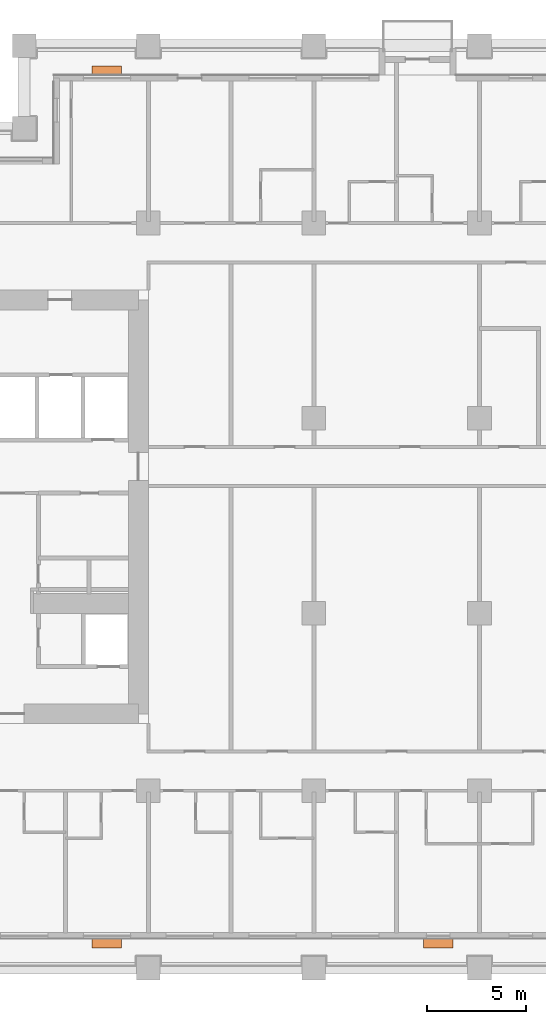
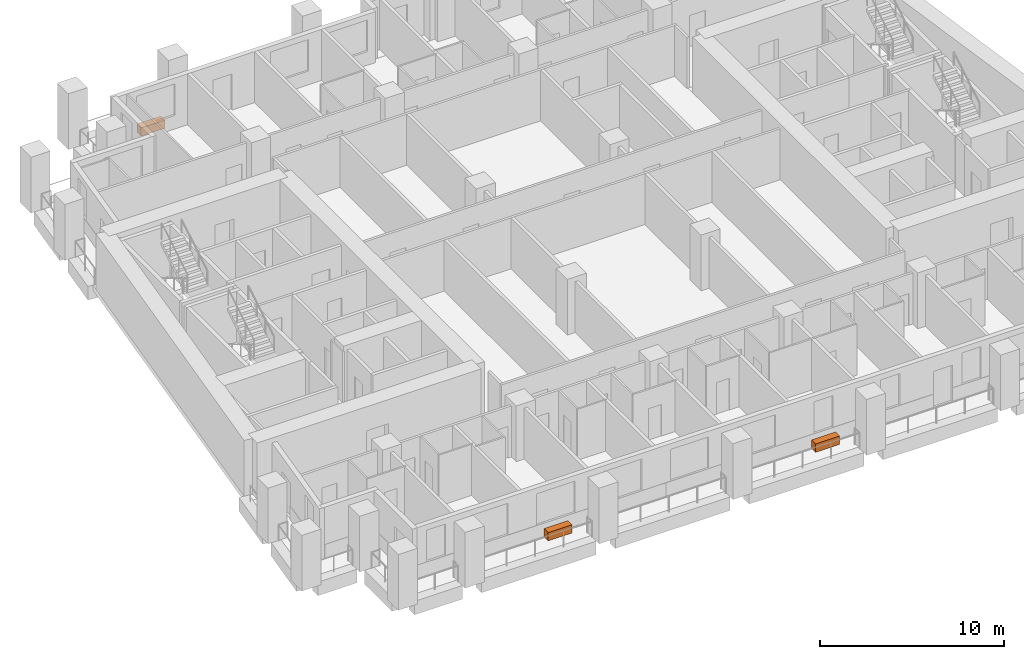
# One storey, part 14 of 14: 3 proxies.
"""IFC4 building model written with IfcOpenShell, lengths in metres."""

from ifc_helpers import new_model, si_unit, direction, frame, origin, origin_2d, place, context, subcontext, project, spatial, rectangle, extrude, element, save


model = new_model("IFC4")

# Units and contexts
model_context = context("Model", 3, precision=1e-05, world=origin(), true_north=direction((0.0, 1.0)))
body_context = subcontext(model_context, "Body", "Model", "MODEL_VIEW")
ifc_project = project(units=[si_unit("LENGTHUNIT", "METRE"), si_unit("AREAUNIT", "SQUARE_METRE"), si_unit("VOLUMEUNIT", "CUBIC_METRE"), si_unit("PLANEANGLEUNIT", "RADIAN"), si_unit("MASSUNIT", "GRAM", prefix="KILO")], contexts=[model_context])

# Site, building, storey
site_placement = place(None, origin())
site = spatial("IfcSite", under=ifc_project, at=site_placement, CompositionType="ELEMENT")
building_placement = place(site_placement, origin())
building = spatial("IfcBuilding", under=site, at=building_placement, Name="Candeia Pilgrim Tower and Theatre", CompositionType="ELEMENT")
storey_placement = place(building_placement, frame((0.0, 0.0, 124.300048828125)))
storey = spatial("IfcBuildingStorey", under=building, at=storey_placement, Name="L29", CompositionType="ELEMENT", Elevation=124.300048828125)

# Proxies
for number, where, z_axis, x_axis, name in (
    (1, (98.699951171875, 99.2548828125, 0.0), (0.0, 0.0, 1.0), (1.0, 0.0, 0.0), "Planter"),
    (2, (115.5, 99.2548828125, 0.0), (0.0, 0.0, 1.0), (1.0, 0.0, 0.0), "Planter"),
    (3, (98.699951171875, 143.544921875, 0.0), (0.0, 0.0, 1.0), (-1.0, 0.0, 0.0), "Planter"),
):
    element("IfcBuildingElementProxy", number, at=place(storey_placement, frame(where, z_axis=z_axis, x_axis=x_axis)), inside=storey, Name=name, ObjectType="PLANTER", PredefinedType="USERDEFINED", context=body_context, shape_type="SweptSolid", body=[
        extrude(rectangle(XDim=1.5, YDim=0.449951171875, at=origin_2d()), origin(), (0.0, 0.0, 1.0), 0.550048828125),
    ])

save(model, "model.ifc")
